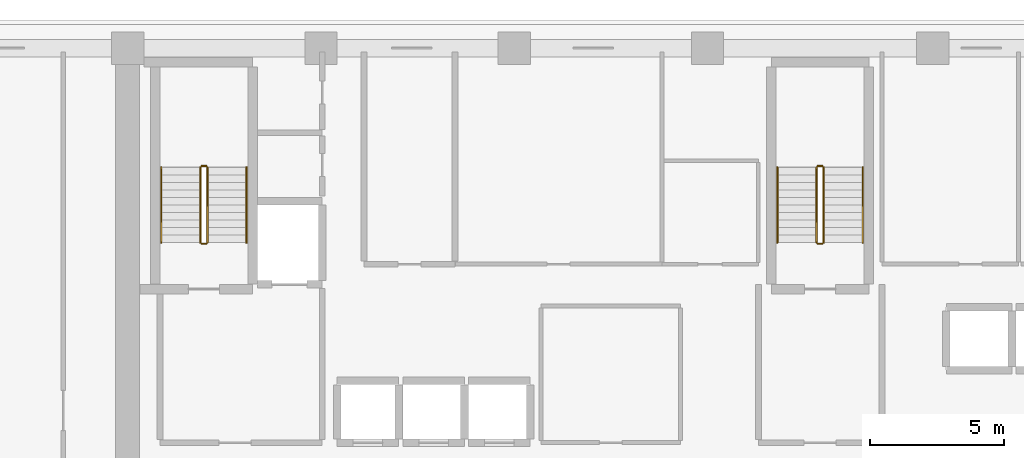
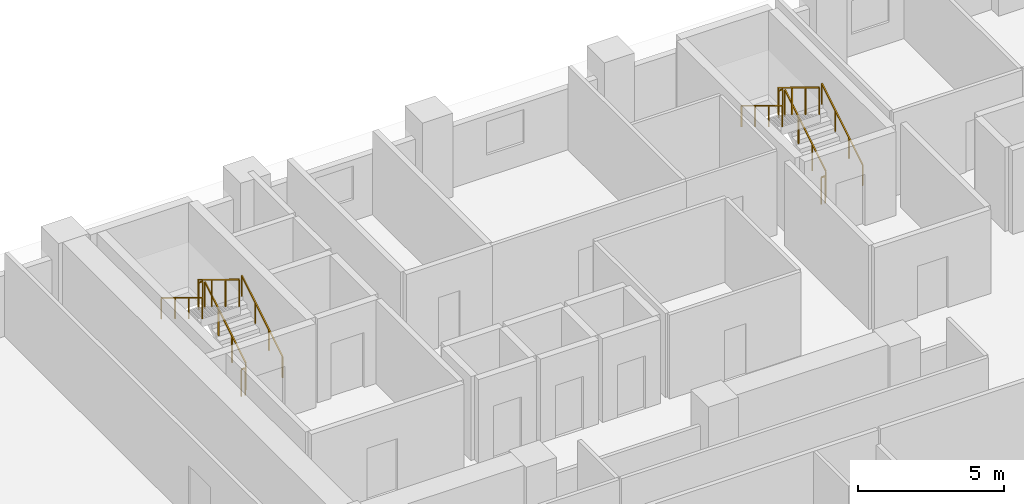
# One storey, part 12 of 14: 12 railings.
"""IFC4 building model written with IfcOpenShell, lengths in metres."""

from ifc_helpers import new_model, si_unit, direction, frame, origin, origin_2d, place, context, subcontext, project, spatial, rectangle, extrude, material, type_object, element, save


model = new_model("IFC4")

# Units and contexts
model_context = context("Model", 3, precision=1e-05, world=origin(), true_north=direction((0.0, 1.0)))
body_context = subcontext(model_context, "Body", "Model", "MODEL_VIEW")
ifc_project = project(units=[si_unit("LENGTHUNIT", "METRE"), si_unit("AREAUNIT", "SQUARE_METRE"), si_unit("VOLUMEUNIT", "CUBIC_METRE"), si_unit("PLANEANGLEUNIT", "RADIAN"), si_unit("MASSUNIT", "GRAM", prefix="KILO")], contexts=[model_context])

# Site, building, storey
site_placement = place(None, origin())
site = spatial("IfcSite", under=ifc_project, at=site_placement, CompositionType="ELEMENT")
building_placement = place(site_placement, origin())
building = spatial("IfcBuilding", under=site, at=building_placement, Name="Kaelvorn Grand Hotel", CompositionType="ELEMENT")
storey_placement = place(building_placement, frame((0.0, 0.0, 126.800048828125)))
storey = spatial("IfcBuildingStorey", under=building, at=storey_placement, Name="L30", CompositionType="ELEMENT", Elevation=126.800048828125)

# Railings
ifc_material = material(Name="Stainless Steel", Category="steel")
railing_type_1 = type_object("IfcRailingType", Name="RL-HANDRAIL-900", PredefinedType="HANDRAIL", material=ifc_material)
railing_1_placement = place(storey_placement, frame((20.6298828125, 41.760009765625, 0.17041015625)))
element("IfcRailing", 1, at=railing_1_placement, inside=storey, type_object=railing_type_1, Name="L30 ST1 stair handrail 1", PredefinedType="HANDRAIL", context=body_context, shape_type="SweptSolid", body=[
    extrude(rectangle(XDim=0.048095703125, YDim=0.048095703125, at=origin_2d()), frame((0.0, 0.0, 0.8759765625), z_axis=(0.0, 0.854169791009, 0.51999420009), x_axis=(-1.0, 0.0, 0.0)), (0.0, 0.0, 1.0), 3.278076171875),
    extrude(rectangle(XDim=0.0419921875, YDim=0.0419921875, at=origin_2d()), origin(), (0.0, 0.0, 1.0), 0.851806640625),
    extrude(rectangle(XDim=0.0419921875, YDim=0.0419921875, at=origin_2d()), frame((0.0, 0.933349609375, 0.568115234375)), (0.0, 0.0, 1.0), 0.851806640625),
    extrude(rectangle(XDim=0.0419921875, YDim=0.0419921875, at=origin_2d()), frame((0.0, 1.86669921875, 1.136474609375)), (0.0, 0.0, 1.0), 0.851806640625),
    extrude(rectangle(XDim=0.0419921875, YDim=0.0419921875, at=origin_2d()), frame((0.0, 2.800048828125, 1.70458984375)), (0.0, 0.0, 1.0), 0.851806640625),
])
railing_2_placement = place(storey_placement, frame((17.449951171875, 44.56005859375, 2.04541015625)))
element("IfcRailing", 2, at=railing_2_placement, inside=storey, type_object=railing_type_1, Name="L30 ST1 stair handrail 2", PredefinedType="HANDRAIL", context=body_context, shape_type="SweptSolid", body=[
    extrude(rectangle(XDim=0.048095703125, YDim=0.048095703125, at=origin_2d()), frame((0.0, 0.0, 0.8759765625), z_axis=(0.0, -0.854169791009, 0.51999420009), x_axis=(1.0, 0.0, 0.0)), (0.0, 0.0, 1.0), 3.278076171875),
    extrude(rectangle(XDim=0.0419921875, YDim=0.0419921875, at=origin_2d()), origin(), (0.0, 0.0, 1.0), 0.851806640625),
    extrude(rectangle(XDim=0.0419921875, YDim=0.0419921875, at=origin_2d()), frame((0.0, -0.933349609375, 0.568115234375)), (0.0, 0.0, 1.0), 0.851806640625),
    extrude(rectangle(XDim=0.0419921875, YDim=0.0419921875, at=origin_2d()), frame((0.0, -1.86669921875, 1.136474609375)), (0.0, 0.0, 1.0), 0.851806640625),
    extrude(rectangle(XDim=0.0419921875, YDim=0.0419921875, at=origin_2d()), frame((0.0, -2.800048828125, 1.70458984375)), (0.0, 0.0, 1.0), 0.851806640625),
])
railing_3_placement = place(storey_placement, frame((43.590087890625, 41.760009765625, 0.17041015625)))
element("IfcRailing", 3, at=railing_3_placement, inside=storey, type_object=railing_type_1, Name="L30 ST2 stair handrail 1", PredefinedType="HANDRAIL", context=body_context, shape_type="SweptSolid", body=[
    extrude(rectangle(XDim=0.048095703125, YDim=0.048095703125, at=origin_2d()), frame((0.0, 0.0, 0.8759765625), z_axis=(0.0, 0.854169791009, 0.51999420009), x_axis=(-1.0, 0.0, 0.0)), (0.0, 0.0, 1.0), 3.278076171875),
    extrude(rectangle(XDim=0.0419921875, YDim=0.0419921875, at=origin_2d()), origin(), (0.0, 0.0, 1.0), 0.851806640625),
    extrude(rectangle(XDim=0.0419921875, YDim=0.0419921875, at=origin_2d()), frame((0.0, 0.933349609375, 0.568115234375)), (0.0, 0.0, 1.0), 0.851806640625),
    extrude(rectangle(XDim=0.0419921875, YDim=0.0419921875, at=origin_2d()), frame((0.0, 1.86669921875, 1.136474609375)), (0.0, 0.0, 1.0), 0.851806640625),
    extrude(rectangle(XDim=0.0419921875, YDim=0.0419921875, at=origin_2d()), frame((0.0, 2.800048828125, 1.70458984375)), (0.0, 0.0, 1.0), 0.851806640625),
])
railing_4_placement = place(storey_placement, frame((40.409912109375, 44.56005859375, 2.04541015625)))
element("IfcRailing", 4, at=railing_4_placement, inside=storey, type_object=railing_type_1, Name="L30 ST2 stair handrail 2", PredefinedType="HANDRAIL", context=body_context, shape_type="SweptSolid", body=[
    extrude(rectangle(XDim=0.048095703125, YDim=0.048095703125, at=origin_2d()), frame((0.0, 0.0, 0.8759765625), z_axis=(0.0, -0.854169791009, 0.51999420009), x_axis=(1.0, 0.0, 0.0)), (0.0, 0.0, 1.0), 3.278076171875),
    extrude(rectangle(XDim=0.0419921875, YDim=0.0419921875, at=origin_2d()), origin(), (0.0, 0.0, 1.0), 0.851806640625),
    extrude(rectangle(XDim=0.0419921875, YDim=0.0419921875, at=origin_2d()), frame((0.0, -0.933349609375, 0.568115234375)), (0.0, 0.0, 1.0), 0.851806640625),
    extrude(rectangle(XDim=0.0419921875, YDim=0.0419921875, at=origin_2d()), frame((0.0, -1.86669921875, 1.136474609375)), (0.0, 0.0, 1.0), 0.851806640625),
    extrude(rectangle(XDim=0.0419921875, YDim=0.0419921875, at=origin_2d()), frame((0.0, -2.800048828125, 1.70458984375)), (0.0, 0.0, 1.0), 0.851806640625),
])
railing_type_2 = type_object("IfcRailingType", Name="RL-STAIR-GUARD-1150", PredefinedType="BALUSTRADE", material=ifc_material)
railing_5_placement = place(storey_placement, frame((19.169921875, 41.760009765625, 0.17041015625)))
element("IfcRailing", 5, at=railing_5_placement, inside=storey, type_object=railing_type_2, Name="L30 ST1 stair guard 1", PredefinedType="BALUSTRADE", context=body_context, shape_type="SweptSolid", body=[
    extrude(rectangle(XDim=0.048095703125, YDim=0.048095703125, at=origin_2d()), frame((0.0, 0.0, 1.1259765625), z_axis=(0.0, 0.854169791009, 0.51999420009), x_axis=(-1.0, 0.0, 0.0)), (0.0, 0.0, 1.0), 3.278076171875),
    extrude(rectangle(XDim=0.0419921875, YDim=0.0419921875, at=origin_2d()), origin(), (0.0, 0.0, 1.0), 1.101806640625),
    extrude(rectangle(XDim=0.0419921875, YDim=0.0419921875, at=origin_2d()), frame((0.0, 0.933349609375, 0.568115234375)), (0.0, 0.0, 1.0), 1.101806640625),
    extrude(rectangle(XDim=0.0419921875, YDim=0.0419921875, at=origin_2d()), frame((0.0, 1.86669921875, 1.136474609375)), (0.0, 0.0, 1.0), 1.101806640625),
    extrude(rectangle(XDim=0.0419921875, YDim=0.0419921875, at=origin_2d()), frame((0.0, 2.800048828125, 1.70458984375)), (0.0, 0.0, 1.0), 1.101806640625),
])
railing_6_placement = place(storey_placement, frame((19.1201171875, 44.610107421875, 1.875)))
element("IfcRailing", 6, at=railing_6_placement, inside=storey, type_object=railing_type_2, Name="L30 ST1 stair guard 2", PredefinedType="BALUSTRADE", context=body_context, shape_type="SweptSolid", body=[
    extrude(rectangle(XDim=0.048095703125, YDim=0.048095703125, at=origin_2d()), frame((0.0, 0.0, 1.1259765625), z_axis=(-1.0, 0.0, 0.0), x_axis=(0.0, -1.0, 0.0)), (0.0, 0.0, 1.0), 0.16015625),
    extrude(rectangle(XDim=0.0419921875, YDim=0.0419921875, at=origin_2d()), origin(), (0.0, 0.0, 1.0), 1.101806640625),
    extrude(rectangle(XDim=0.0419921875, YDim=0.0419921875, at=origin_2d()), frame((-0.16015625, 0.0, 0.0)), (0.0, 0.0, 1.0), 1.101806640625),
])
railing_7_placement = place(storey_placement, frame((18.909912109375, 44.56005859375, 2.04541015625)))
element("IfcRailing", 7, at=railing_7_placement, inside=storey, type_object=railing_type_2, Name="L30 ST1 stair guard 3", PredefinedType="BALUSTRADE", context=body_context, shape_type="SweptSolid", body=[
    extrude(rectangle(XDim=0.048095703125, YDim=0.048095703125, at=origin_2d()), frame((0.0, 0.0, 1.1259765625), z_axis=(0.0, -0.854169791009, 0.51999420009), x_axis=(1.0, 0.0, 0.0)), (0.0, 0.0, 1.0), 3.278076171875),
    extrude(rectangle(XDim=0.0419921875, YDim=0.0419921875, at=origin_2d()), origin(), (0.0, 0.0, 1.0), 1.101806640625),
    extrude(rectangle(XDim=0.0419921875, YDim=0.0419921875, at=origin_2d()), frame((0.0, -0.933349609375, 0.568115234375)), (0.0, 0.0, 1.0), 1.101806640625),
    extrude(rectangle(XDim=0.0419921875, YDim=0.0419921875, at=origin_2d()), frame((0.0, -1.86669921875, 1.136474609375)), (0.0, 0.0, 1.0), 1.101806640625),
    extrude(rectangle(XDim=0.0419921875, YDim=0.0419921875, at=origin_2d()), frame((0.0, -2.800048828125, 1.70458984375)), (0.0, 0.0, 1.0), 1.101806640625),
])
railing_8_placement = place(storey_placement, frame((19.1201171875, 41.7099609375, 0.0)))
element("IfcRailing", 8, at=railing_8_placement, inside=storey, type_object=railing_type_2, Name="L30 ST1 stair guard 4", PredefinedType="BALUSTRADE", context=body_context, shape_type="SweptSolid", body=[
    extrude(rectangle(XDim=0.048095703125, YDim=0.048095703125, at=origin_2d()), frame((0.0, 0.0, 1.1259765625), z_axis=(-1.0, 0.0, 0.0), x_axis=(0.0, -1.0, 0.0)), (0.0, 0.0, 1.0), 0.16015625),
    extrude(rectangle(XDim=0.0419921875, YDim=0.0419921875, at=origin_2d()), origin(), (0.0, 0.0, 1.0), 1.101806640625),
    extrude(rectangle(XDim=0.0419921875, YDim=0.0419921875, at=origin_2d()), frame((-0.16015625, 0.0, 0.0)), (0.0, 0.0, 1.0), 1.101806640625),
])
railing_9_placement = place(storey_placement, frame((42.1298828125, 41.760009765625, 0.17041015625)))
element("IfcRailing", 9, at=railing_9_placement, inside=storey, type_object=railing_type_2, Name="L30 ST2 stair guard 1", PredefinedType="BALUSTRADE", context=body_context, shape_type="SweptSolid", body=[
    extrude(rectangle(XDim=0.048095703125, YDim=0.048095703125, at=origin_2d()), frame((0.0, 0.0, 1.1259765625), z_axis=(0.0, 0.854169791009, 0.51999420009), x_axis=(-1.0, 0.0, 0.0)), (0.0, 0.0, 1.0), 3.278076171875),
    extrude(rectangle(XDim=0.0419921875, YDim=0.0419921875, at=origin_2d()), origin(), (0.0, 0.0, 1.0), 1.101806640625),
    extrude(rectangle(XDim=0.0419921875, YDim=0.0419921875, at=origin_2d()), frame((0.0, 0.933349609375, 0.568115234375)), (0.0, 0.0, 1.0), 1.101806640625),
    extrude(rectangle(XDim=0.0419921875, YDim=0.0419921875, at=origin_2d()), frame((0.0, 1.86669921875, 1.136474609375)), (0.0, 0.0, 1.0), 1.101806640625),
    extrude(rectangle(XDim=0.0419921875, YDim=0.0419921875, at=origin_2d()), frame((0.0, 2.800048828125, 1.70458984375)), (0.0, 0.0, 1.0), 1.101806640625),
])
railing_10_placement = place(storey_placement, frame((42.080078125, 44.610107421875, 1.875)))
element("IfcRailing", 10, at=railing_10_placement, inside=storey, type_object=railing_type_2, Name="L30 ST2 stair guard 2", PredefinedType="BALUSTRADE", context=body_context, shape_type="SweptSolid", body=[
    extrude(rectangle(XDim=0.048095703125, YDim=0.048095703125, at=origin_2d()), frame((0.0, 0.0, 1.1259765625), z_axis=(-1.0, 0.0, 0.0), x_axis=(0.0, -1.0, 0.0)), (0.0, 0.0, 1.0), 0.16015625),
    extrude(rectangle(XDim=0.0419921875, YDim=0.0419921875, at=origin_2d()), origin(), (0.0, 0.0, 1.0), 1.101806640625),
    extrude(rectangle(XDim=0.0419921875, YDim=0.0419921875, at=origin_2d()), frame((-0.16015625, 0.0, 0.0)), (0.0, 0.0, 1.0), 1.101806640625),
])
railing_11_placement = place(storey_placement, frame((41.8701171875, 44.56005859375, 2.04541015625)))
element("IfcRailing", 11, at=railing_11_placement, inside=storey, type_object=railing_type_2, Name="L30 ST2 stair guard 3", PredefinedType="BALUSTRADE", context=body_context, shape_type="SweptSolid", body=[
    extrude(rectangle(XDim=0.048095703125, YDim=0.048095703125, at=origin_2d()), frame((0.0, 0.0, 1.1259765625), z_axis=(0.0, -0.854169791009, 0.51999420009), x_axis=(1.0, 0.0, 0.0)), (0.0, 0.0, 1.0), 3.278076171875),
    extrude(rectangle(XDim=0.0419921875, YDim=0.0419921875, at=origin_2d()), origin(), (0.0, 0.0, 1.0), 1.101806640625),
    extrude(rectangle(XDim=0.0419921875, YDim=0.0419921875, at=origin_2d()), frame((0.0, -0.933349609375, 0.568115234375)), (0.0, 0.0, 1.0), 1.101806640625),
    extrude(rectangle(XDim=0.0419921875, YDim=0.0419921875, at=origin_2d()), frame((0.0, -1.86669921875, 1.136474609375)), (0.0, 0.0, 1.0), 1.101806640625),
    extrude(rectangle(XDim=0.0419921875, YDim=0.0419921875, at=origin_2d()), frame((0.0, -2.800048828125, 1.70458984375)), (0.0, 0.0, 1.0), 1.101806640625),
])
railing_12_placement = place(storey_placement, frame((42.080078125, 41.7099609375, 0.0)))
element("IfcRailing", 12, at=railing_12_placement, inside=storey, type_object=railing_type_2, Name="L30 ST2 stair guard 4", PredefinedType="BALUSTRADE", context=body_context, shape_type="SweptSolid", body=[
    extrude(rectangle(XDim=0.048095703125, YDim=0.048095703125, at=origin_2d()), frame((0.0, 0.0, 1.1259765625), z_axis=(-1.0, 0.0, 0.0), x_axis=(0.0, -1.0, 0.0)), (0.0, 0.0, 1.0), 0.16015625),
    extrude(rectangle(XDim=0.0419921875, YDim=0.0419921875, at=origin_2d()), origin(), (0.0, 0.0, 1.0), 1.101806640625),
    extrude(rectangle(XDim=0.0419921875, YDim=0.0419921875, at=origin_2d()), frame((-0.16015625, 0.0, 0.0)), (0.0, 0.0, 1.0), 1.101806640625),
])

save(model, "model.ifc")
